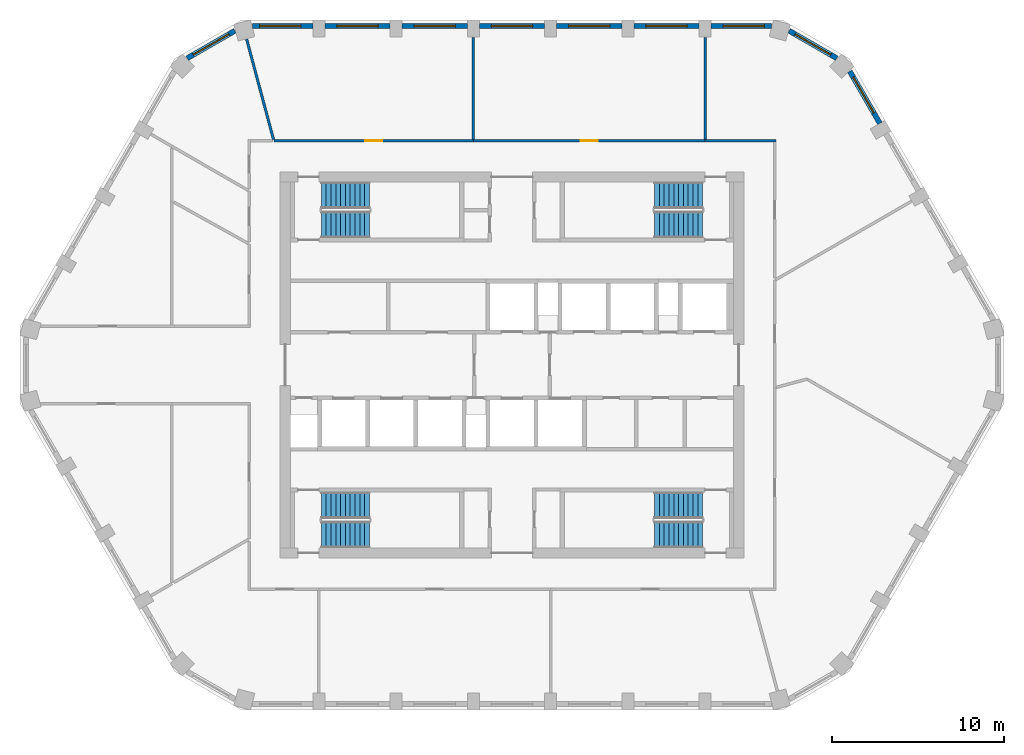
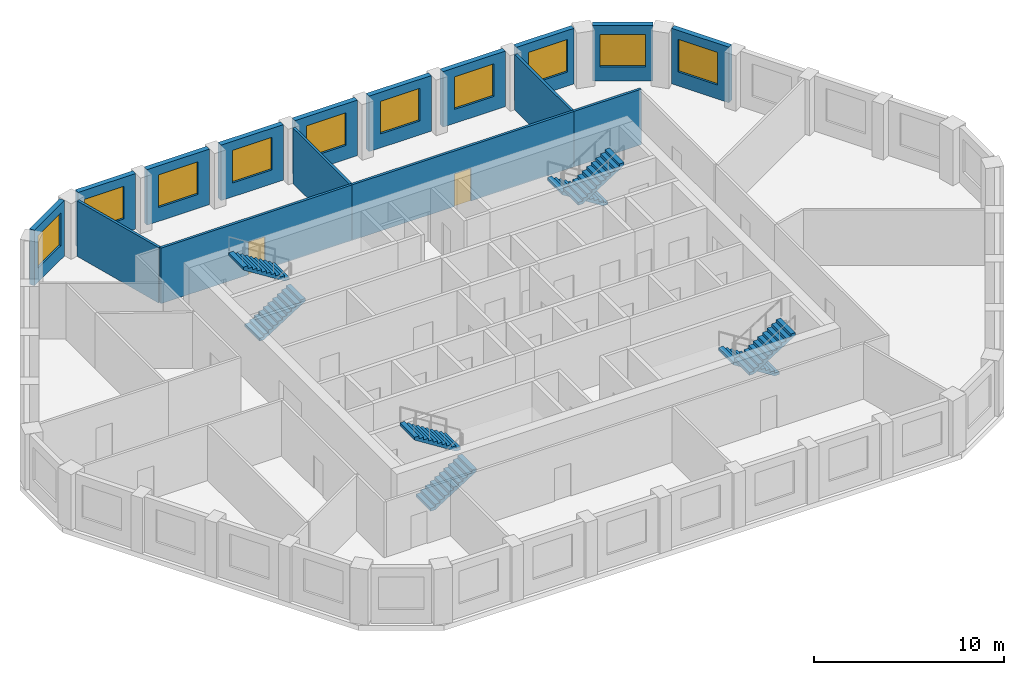
# One storey, part 6 of 7: 16 walls, 10 windows, 8 stair flights, 2 doors, 12 openings, 4 elements without a shape of their own.
"""IFC4 building model written with IfcOpenShell, lengths in metres."""

from ifc_helpers import new_model, si_unit, direction, frame, frame_2d, origin, place, context, subcontext, project, spatial, polyline, rectangle, outline, extrude, material, layer, layer_set, type_object, element, fill, aggregate, save


model = new_model("IFC4")

# Units and contexts
model_context = context("Model", 3, precision=1e-05, world=origin(), true_north=direction((0.0, 1.0)))
body_context = subcontext(model_context, "Body", "Model", "MODEL_VIEW")
ifc_project = project(units=[si_unit("LENGTHUNIT", "METRE"), si_unit("AREAUNIT", "SQUARE_METRE"), si_unit("VOLUMEUNIT", "CUBIC_METRE"), si_unit("PLANEANGLEUNIT", "RADIAN"), si_unit("MASSUNIT", "GRAM", prefix="KILO")], contexts=[model_context])

# Site, building, storey
site_placement = place(None, origin())
site = spatial("IfcSite", under=ifc_project, at=site_placement, CompositionType="ELEMENT")
building_placement = place(site_placement, origin())
building = spatial("IfcBuilding", under=site, at=building_placement, Name="Dhurran Vertical Campus", CompositionType="ELEMENT")
storey_placement = place(building_placement, frame((0.0, 0.0, 266.39990234375)))
storey = spatial("IfcBuildingStorey", under=building, at=storey_placement, Name="L66", CompositionType="ELEMENT", Elevation=266.39990234375)

# Wall, opening, window
ifc_material_1 = material(Name="Precast concrete C50/60", Category="concrete")
ifc_layer_1 = layer(ifc_material_1, 0.300048828125)
ifc_layer_set_1 = layer_set([ifc_layer_1], Name="Precast concrete C50/60")
wall_type_1 = type_object("IfcWallType", Name="Precast spandrel wall 300", PredefinedType="SOLIDWALL", material=ifc_layer_set_1)
wall_1_placement = place(storey_placement, frame((21.418701171875, 14.06982421875, 0.0), z_axis=(0.0, 0.0, 1.0), x_axis=(-0.499960102815, 0.866048437209, 0.0)))
wall_1 = element("IfcWall", 1, at=wall_1_placement, inside=storey, type_object=wall_type_1, Name="EW1 L66.16", PredefinedType="SOLIDWALL", context=body_context, shape_type="SweptSolid", body=[
    extrude(rectangle(XDim=3.497802734375, YDim=0.300048828125, at=frame_2d((1.7490234375, 0.0))), origin(), (0.0, 0.0, 1.0), 3.5751953125),
])
opening_1_placement = place(wall_1_placement, frame((0.699462890625, 0.0, 0.89990234375)))
opening_1 = element("IfcOpeningElement", 2, at=opening_1_placement, cuts=wall_1, Name="Opening WT1", PredefinedType="OPENING", context=body_context, shape_type="SweptSolid", body=[
    extrude(rectangle(XDim=2.39990234375, YDim=2.10009765625, at=frame_2d((1.199951171875, 1.050048828125))), frame((0.0, 0.159912109375, 0.0), z_axis=(0.0, -1.0, 0.0), x_axis=(1.0, 0.0, 0.0)), (0.0, 0.0, 1.0), 0.320068359375),
])
ifc_material_2 = material(Name="Aluminium frame with solar-control glass", Category="aluminium")
window_type = type_object("IfcWindowType", Name="Punched window 2400 x 2100", PartitioningType="SINGLE_PANEL", PredefinedType="WINDOW", material=ifc_material_2)
window_1_placement = place(opening_1_placement, origin())
window_1 = element("IfcWindow", 3, at=window_1_placement, inside=storey, type_object=window_type, Name="WT1 L66.16", OverallHeight=2.10009765625, OverallWidth=2.39990234375, PartitioningType="SINGLE_PANEL", PredefinedType="WINDOW", context=body_context, shape_type="SweptSolid", body=[
    extrude(rectangle(XDim=2.39990234375, YDim=2.10009765625, at=frame_2d((1.199951171875, 1.050048828125))), frame((0.0, 0.030029296875, 0.0), z_axis=(0.0, -1.0, 0.0), x_axis=(1.0, 0.0, 0.0)), (0.0, 0.0, 1.0), 0.06005859375),
])
fill(opening_1, window_1)

wall_2_placement = place(storey_placement, frame((18.90771484375, 17.861328125, 0.0), z_axis=(0.0, 0.0, 1.0), x_axis=(-0.866025316205, 0.500000151692, 0.0)))
wall_2 = element("IfcWall", 4, at=wall_2_placement, inside=storey, type_object=wall_type_1, Name="EW1 L66.17", PredefinedType="SOLIDWALL", context=body_context, shape_type="SweptSolid", body=[
    extrude(rectangle(XDim=3.1962890625, YDim=0.300048828125, at=frame_2d((1.59814453125, 0.0))), origin(), (0.0, 0.0, 1.0), 3.5751953125),
])
opening_2_placement = place(wall_2_placement, frame((0.398193359375, 0.0, 0.89990234375)))
opening_2 = element("IfcOpeningElement", 5, at=opening_2_placement, cuts=wall_2, Name="Opening WT1", PredefinedType="OPENING", context=body_context, shape_type="SweptSolid", body=[
    extrude(rectangle(XDim=2.39990234375, YDim=2.10009765625, at=frame_2d((1.199951171875, 1.050048828125))), frame((0.0, 0.159912109375, 0.0), z_axis=(0.0, -1.0, 0.0), x_axis=(1.0, 0.0, 0.0)), (0.0, 0.0, 1.0), 0.320068359375),
])
window_2_placement = place(opening_2_placement, origin())
window_2 = element("IfcWindow", 6, at=window_2_placement, inside=storey, type_object=window_type, Name="WT1 L66.17", OverallHeight=2.10009765625, OverallWidth=2.39990234375, PartitioningType="SINGLE_PANEL", PredefinedType="WINDOW", context=body_context, shape_type="SweptSolid", body=[
    extrude(rectangle(XDim=2.39990234375, YDim=2.10009765625, at=frame_2d((1.199951171875, 1.050048828125))), frame((0.0, 0.030029296875, 0.0), z_axis=(0.0, -1.0, 0.0), x_axis=(1.0, 0.0, 0.0)), (0.0, 0.0, 1.0), 0.06005859375),
])
fill(opening_2, window_2)

wall_3_placement = place(storey_placement, frame((15.09814453125, 19.738525390625, 0.0), z_axis=(0.0, 0.0, 1.0), x_axis=(-1.0, 0.0, 0.0)))
wall_3 = element("IfcWall", 7, at=wall_3_placement, inside=storey, type_object=wall_type_1, Name="EW1 L66.18", PredefinedType="SOLIDWALL", context=body_context, shape_type="SweptSolid", body=[
    extrude(rectangle(XDim=3.49755859375, YDim=0.300048828125, at=frame_2d((1.748779296875, 0.0))), origin(), (0.0, 0.0, 1.0), 3.5751953125),
])
opening_3_placement = place(wall_3_placement, frame((0.398193359375, 0.0, 0.89990234375)))
opening_3 = element("IfcOpeningElement", 8, at=opening_3_placement, cuts=wall_3, Name="Opening WT1", PredefinedType="OPENING", context=body_context, shape_type="SweptSolid", body=[
    extrude(rectangle(XDim=2.39990234375, YDim=2.10009765625, at=frame_2d((1.199951171875, 1.050048828125))), frame((0.0, 0.159912109375, 0.0), z_axis=(0.0, -1.0, 0.0), x_axis=(1.0, 0.0, 0.0)), (0.0, 0.0, 1.0), 0.320068359375),
])
window_3_placement = place(opening_3_placement, origin())
window_3 = element("IfcWindow", 9, at=window_3_placement, inside=storey, type_object=window_type, Name="WT1 L66.18", OverallHeight=2.10009765625, OverallWidth=2.39990234375, PartitioningType="SINGLE_PANEL", PredefinedType="WINDOW", context=body_context, shape_type="SweptSolid", body=[
    extrude(rectangle(XDim=2.39990234375, YDim=2.10009765625, at=frame_2d((1.199951171875, 1.050048828125))), frame((0.0, 0.030029296875, 0.0), z_axis=(0.0, -1.0, 0.0), x_axis=(1.0, 0.0, 0.0)), (0.0, 0.0, 1.0), 0.06005859375),
])
fill(opening_3, window_3)

wall_4_placement = place(storey_placement, frame((10.8994140625, 19.738525390625, 0.0), z_axis=(0.0, 0.0, 1.0), x_axis=(-1.0, 0.0, 0.0)))
wall_4 = element("IfcWall", 10, at=wall_4_placement, inside=storey, type_object=wall_type_1, Name="EW1 L66.19", PredefinedType="SOLIDWALL", context=body_context, shape_type="SweptSolid", body=[
    extrude(rectangle(XDim=3.798828125, YDim=0.300048828125, at=frame_2d((1.8994140625, 0.0))), origin(), (0.0, 0.0, 1.0), 3.5751953125),
])
opening_4_placement = place(wall_4_placement, frame((0.699462890625, 0.0, 0.89990234375)))
opening_4 = element("IfcOpeningElement", 11, at=opening_4_placement, cuts=wall_4, Name="Opening WT1", PredefinedType="OPENING", context=body_context, shape_type="SweptSolid", body=[
    extrude(rectangle(XDim=2.39990234375, YDim=2.10009765625, at=frame_2d((1.199951171875, 1.050048828125))), frame((0.0, 0.159912109375, 0.0), z_axis=(0.0, -1.0, 0.0), x_axis=(1.0, 0.0, 0.0)), (0.0, 0.0, 1.0), 0.320068359375),
])
window_4_placement = place(opening_4_placement, origin())
window_4 = element("IfcWindow", 12, at=window_4_placement, inside=storey, type_object=window_type, Name="WT1 L66.19", OverallHeight=2.10009765625, OverallWidth=2.39990234375, PartitioningType="SINGLE_PANEL", PredefinedType="WINDOW", context=body_context, shape_type="SweptSolid", body=[
    extrude(rectangle(XDim=2.39990234375, YDim=2.10009765625, at=frame_2d((1.199951171875, 1.050048828125))), frame((0.0, 0.030029296875, 0.0), z_axis=(0.0, -1.0, 0.0), x_axis=(1.0, 0.0, 0.0)), (0.0, 0.0, 1.0), 0.06005859375),
])
fill(opening_4, window_4)

wall_5_placement = place(storey_placement, frame((6.3994140625, 19.738525390625, 0.0), z_axis=(0.0, 0.0, 1.0), x_axis=(-1.0, 0.0, 0.0)))
wall_5 = element("IfcWall", 13, at=wall_5_placement, inside=storey, type_object=wall_type_1, Name="EW1 L66.20", PredefinedType="SOLIDWALL", context=body_context, shape_type="SweptSolid", body=[
    extrude(rectangle(XDim=3.798828125, YDim=0.300048828125, at=frame_2d((1.8994140625, 0.0))), origin(), (0.0, 0.0, 1.0), 3.5751953125),
])
opening_5_placement = place(wall_5_placement, frame((0.699462890625, 0.0, 0.89990234375)))
opening_5 = element("IfcOpeningElement", 14, at=opening_5_placement, cuts=wall_5, Name="Opening WT1", PredefinedType="OPENING", context=body_context, shape_type="SweptSolid", body=[
    extrude(rectangle(XDim=2.39990234375, YDim=2.10009765625, at=frame_2d((1.199951171875, 1.050048828125))), frame((0.0, 0.159912109375, 0.0), z_axis=(0.0, -1.0, 0.0), x_axis=(1.0, 0.0, 0.0)), (0.0, 0.0, 1.0), 0.320068359375),
])
window_5_placement = place(opening_5_placement, origin())
window_5 = element("IfcWindow", 15, at=window_5_placement, inside=storey, type_object=window_type, Name="WT1 L66.20", OverallHeight=2.10009765625, OverallWidth=2.39990234375, PartitioningType="SINGLE_PANEL", PredefinedType="WINDOW", context=body_context, shape_type="SweptSolid", body=[
    extrude(rectangle(XDim=2.39990234375, YDim=2.10009765625, at=frame_2d((1.199951171875, 1.050048828125))), frame((0.0, 0.030029296875, 0.0), z_axis=(0.0, -1.0, 0.0), x_axis=(1.0, 0.0, 0.0)), (0.0, 0.0, 1.0), 0.06005859375),
])
fill(opening_5, window_5)

wall_6_placement = place(storey_placement, frame((1.8994140625, 19.738525390625, 0.0), z_axis=(0.0, 0.0, 1.0), x_axis=(-1.0, 0.0, 0.0)))
wall_6 = element("IfcWall", 16, at=wall_6_placement, inside=storey, type_object=wall_type_1, Name="EW1 L66.21", PredefinedType="SOLIDWALL", context=body_context, shape_type="SweptSolid", body=[
    extrude(rectangle(XDim=3.798828125, YDim=0.300048828125, at=frame_2d((1.8994140625, 0.0))), origin(), (0.0, 0.0, 1.0), 3.5751953125),
])
opening_6_placement = place(wall_6_placement, frame((0.699462890625, 0.0, 0.89990234375)))
opening_6 = element("IfcOpeningElement", 17, at=opening_6_placement, cuts=wall_6, Name="Opening WT1", PredefinedType="OPENING", context=body_context, shape_type="SweptSolid", body=[
    extrude(rectangle(XDim=2.39990234375, YDim=2.10009765625, at=frame_2d((1.199951171875, 1.050048828125))), frame((0.0, 0.159912109375, 0.0), z_axis=(0.0, -1.0, 0.0), x_axis=(1.0, 0.0, 0.0)), (0.0, 0.0, 1.0), 0.320068359375),
])
window_6_placement = place(opening_6_placement, origin())
window_6 = element("IfcWindow", 18, at=window_6_placement, inside=storey, type_object=window_type, Name="WT1 L66.21", OverallHeight=2.10009765625, OverallWidth=2.39990234375, PartitioningType="SINGLE_PANEL", PredefinedType="WINDOW", context=body_context, shape_type="SweptSolid", body=[
    extrude(rectangle(XDim=2.39990234375, YDim=2.10009765625, at=frame_2d((1.199951171875, 1.050048828125))), frame((0.0, 0.030029296875, 0.0), z_axis=(0.0, -1.0, 0.0), x_axis=(1.0, 0.0, 0.0)), (0.0, 0.0, 1.0), 0.06005859375),
])
fill(opening_6, window_6)

wall_7_placement = place(storey_placement, frame((-2.6005859375, 19.738525390625, 0.0), z_axis=(0.0, 0.0, 1.0), x_axis=(-1.0, 0.0, 0.0)))
wall_7 = element("IfcWall", 19, at=wall_7_placement, inside=storey, type_object=wall_type_1, Name="EW1 L66.22", PredefinedType="SOLIDWALL", context=body_context, shape_type="SweptSolid", body=[
    extrude(rectangle(XDim=3.798828125, YDim=0.300048828125, at=frame_2d((1.8994140625, 0.0))), origin(), (0.0, 0.0, 1.0), 3.5751953125),
])
opening_7_placement = place(wall_7_placement, frame((0.699462890625, 0.0, 0.89990234375)))
opening_7 = element("IfcOpeningElement", 20, at=opening_7_placement, cuts=wall_7, Name="Opening WT1", PredefinedType="OPENING", context=body_context, shape_type="SweptSolid", body=[
    extrude(rectangle(XDim=2.39990234375, YDim=2.10009765625, at=frame_2d((1.199951171875, 1.050048828125))), frame((0.0, 0.159912109375, 0.0), z_axis=(0.0, -1.0, 0.0), x_axis=(1.0, 0.0, 0.0)), (0.0, 0.0, 1.0), 0.320068359375),
])
window_7_placement = place(opening_7_placement, origin())
window_7 = element("IfcWindow", 21, at=window_7_placement, inside=storey, type_object=window_type, Name="WT1 L66.22", OverallHeight=2.10009765625, OverallWidth=2.39990234375, PartitioningType="SINGLE_PANEL", PredefinedType="WINDOW", context=body_context, shape_type="SweptSolid", body=[
    extrude(rectangle(XDim=2.39990234375, YDim=2.10009765625, at=frame_2d((1.199951171875, 1.050048828125))), frame((0.0, 0.030029296875, 0.0), z_axis=(0.0, -1.0, 0.0), x_axis=(1.0, 0.0, 0.0)), (0.0, 0.0, 1.0), 0.06005859375),
])
fill(opening_7, window_7)

wall_8_placement = place(storey_placement, frame((-7.1005859375, 19.738525390625, 0.0), z_axis=(0.0, 0.0, 1.0), x_axis=(-1.0, 0.0, 0.0)))
wall_8 = element("IfcWall", 22, at=wall_8_placement, inside=storey, type_object=wall_type_1, Name="EW1 L66.23", PredefinedType="SOLIDWALL", context=body_context, shape_type="SweptSolid", body=[
    extrude(rectangle(XDim=3.798828125, YDim=0.300048828125, at=frame_2d((1.8994140625, 0.0))), origin(), (0.0, 0.0, 1.0), 3.5751953125),
])
opening_8_placement = place(wall_8_placement, frame((0.699462890625, 0.0, 0.89990234375)))
opening_8 = element("IfcOpeningElement", 23, at=opening_8_placement, cuts=wall_8, Name="Opening WT1", PredefinedType="OPENING", context=body_context, shape_type="SweptSolid", body=[
    extrude(rectangle(XDim=2.39990234375, YDim=2.10009765625, at=frame_2d((1.199951171875, 1.050048828125))), frame((0.0, 0.159912109375, 0.0), z_axis=(0.0, -1.0, 0.0), x_axis=(1.0, 0.0, 0.0)), (0.0, 0.0, 1.0), 0.320068359375),
])
window_8_placement = place(opening_8_placement, origin())
window_8 = element("IfcWindow", 24, at=window_8_placement, inside=storey, type_object=window_type, Name="WT1 L66.23", OverallHeight=2.10009765625, OverallWidth=2.39990234375, PartitioningType="SINGLE_PANEL", PredefinedType="WINDOW", context=body_context, shape_type="SweptSolid", body=[
    extrude(rectangle(XDim=2.39990234375, YDim=2.10009765625, at=frame_2d((1.199951171875, 1.050048828125))), frame((0.0, 0.030029296875, 0.0), z_axis=(0.0, -1.0, 0.0), x_axis=(1.0, 0.0, 0.0)), (0.0, 0.0, 1.0), 0.06005859375),
])
fill(opening_8, window_8)

wall_9_placement = place(storey_placement, frame((-11.6005859375, 19.738525390625, 0.0), z_axis=(0.0, 0.0, 1.0), x_axis=(-1.0, 0.0, 0.0)))
wall_9 = element("IfcWall", 25, at=wall_9_placement, inside=storey, type_object=wall_type_1, Name="EW1 L66.24", PredefinedType="SOLIDWALL", context=body_context, shape_type="SweptSolid", body=[
    extrude(rectangle(XDim=3.49755859375, YDim=0.300048828125, at=frame_2d((1.748779296875, 0.0))), origin(), (0.0, 0.0, 1.0), 3.5751953125),
])
opening_9_placement = place(wall_9_placement, frame((0.699462890625, 0.0, 0.89990234375)))
opening_9 = element("IfcOpeningElement", 26, at=opening_9_placement, cuts=wall_9, Name="Opening WT1", PredefinedType="OPENING", context=body_context, shape_type="SweptSolid", body=[
    extrude(rectangle(XDim=2.39990234375, YDim=2.10009765625, at=frame_2d((1.199951171875, 1.050048828125))), frame((0.0, 0.159912109375, 0.0), z_axis=(0.0, -1.0, 0.0), x_axis=(1.0, 0.0, 0.0)), (0.0, 0.0, 1.0), 0.320068359375),
])
window_9_placement = place(opening_9_placement, origin())
window_9 = element("IfcWindow", 27, at=window_9_placement, inside=storey, type_object=window_type, Name="WT1 L66.24", OverallHeight=2.10009765625, OverallWidth=2.39990234375, PartitioningType="SINGLE_PANEL", PredefinedType="WINDOW", context=body_context, shape_type="SweptSolid", body=[
    extrude(rectangle(XDim=2.39990234375, YDim=2.10009765625, at=frame_2d((1.199951171875, 1.050048828125))), frame((0.0, 0.030029296875, 0.0), z_axis=(0.0, -1.0, 0.0), x_axis=(1.0, 0.0, 0.0)), (0.0, 0.0, 1.0), 0.06005859375),
])
fill(opening_9, window_9)

wall_10_placement = place(storey_placement, frame((-16.1396484375, 19.45947265625, 0.0), z_axis=(0.0, 0.0, 1.0), x_axis=(-0.866025316205, -0.500000151692, 0.0)))
wall_10 = element("IfcWall", 28, at=wall_10_placement, inside=storey, type_object=wall_type_1, Name="EW1 L66.25", PredefinedType="SOLIDWALL", context=body_context, shape_type="SweptSolid", body=[
    extrude(rectangle(XDim=3.1962890625, YDim=0.300048828125, at=frame_2d((1.59814453125, 0.0))), origin(), (0.0, 0.0, 1.0), 3.5751953125),
])
opening_10_placement = place(wall_10_placement, frame((0.398193359375, 0.0, 0.89990234375)))
opening_10 = element("IfcOpeningElement", 29, at=opening_10_placement, cuts=wall_10, Name="Opening WT1", PredefinedType="OPENING", context=body_context, shape_type="SweptSolid", body=[
    extrude(rectangle(XDim=2.39990234375, YDim=2.10009765625, at=frame_2d((1.199951171875, 1.050048828125))), frame((0.0, 0.159912109375, 0.0), z_axis=(0.0, -1.0, 0.0), x_axis=(1.0, 0.0, 0.0)), (0.0, 0.0, 1.0), 0.320068359375),
])
window_10_placement = place(opening_10_placement, origin())
window_10 = element("IfcWindow", 30, at=window_10_placement, inside=storey, type_object=window_type, Name="WT1 L66.25", OverallHeight=2.10009765625, OverallWidth=2.39990234375, PartitioningType="SINGLE_PANEL", PredefinedType="WINDOW", context=body_context, shape_type="SweptSolid", body=[
    extrude(rectangle(XDim=2.39990234375, YDim=2.10009765625, at=frame_2d((1.199951171875, 1.050048828125))), frame((0.0, 0.030029296875, 0.0), z_axis=(0.0, -1.0, 0.0), x_axis=(1.0, 0.0, 0.0)), (0.0, 0.0, 1.0), 0.06005859375),
])
fill(opening_10, window_10)

# Wall, opening, door
ifc_material_3 = material(Name="Gypsum board corridor wall on steel studs", Category="steel")
ifc_layer_2 = layer(ifc_material_3, 0.14990234375)
ifc_layer_set_2 = layer_set([ifc_layer_2], Name="Gypsum board corridor wall on steel studs")
wall_type_2 = type_object("IfcWallType", Name="fl-CW-150 corridor wall", PredefinedType="PARTITIONING", material=ifc_layer_set_2)
wall_11_placement = place(storey_placement, frame((-2.25, 13.050048828125, 0.0), z_axis=(0.0, 0.0, 1.0), x_axis=(-1.0, 0.0, 0.0)))
wall_11 = element("IfcWall", 31, at=wall_11_placement, inside=storey, type_object=wall_type_2, Name="Partition 66-21", PredefinedType="PARTITIONING", context=body_context, shape_type="SweptSolid", body=[
    extrude(rectangle(XDim=11.614013671875, YDim=0.14990234375, at=frame_2d((5.80712890625, 0.0))), origin(), (0.0, 0.0, 1.0), 3.5751953125),
])
opening_11_placement = place(wall_11_placement, frame((5.306884765625, 0.0, 0.0)))
opening_11 = element("IfcOpeningElement", 32, at=opening_11_placement, cuts=wall_11, Name="Opening T19.08", PredefinedType="OPENING", context=body_context, shape_type="SweptSolid", body=[
    extrude(rectangle(XDim=1.0, YDim=2.10009765625, at=frame_2d((0.5, 1.050048828125))), frame((0.0, 0.0849609375, 0.0), z_axis=(0.0, -1.0, 0.0), x_axis=(1.0, 0.0, 0.0)), (0.0, 0.0, 1.0), 0.169921875),
])
ifc_material_4 = material(Name="Solid-core timber door set, fire-rated", Category="wood")
door_type = type_object("IfcDoorType", Name="fl-D-1000x2100", OperationType="SINGLE_SWING_LEFT", PredefinedType="DOOR", material=ifc_material_4)
door_1_placement = place(opening_11_placement, origin())
door_1 = element("IfcDoor", 33, at=door_1_placement, inside=storey, type_object=door_type, Name="Door 66.08", OperationType="SINGLE_SWING_LEFT", OverallHeight=2.10009765625, OverallWidth=1.0, PredefinedType="DOOR", context=body_context, shape_type="SweptSolid", body=[
    extrude(rectangle(XDim=1.0, YDim=2.10009765625, at=frame_2d((0.5, 1.050048828125))), frame((0.0, 0.02490234375, 0.0), z_axis=(0.0, -1.0, 0.0), x_axis=(1.0, 0.0, 0.0)), (0.0, 0.0, 1.0), 0.050048828125),
])
fill(opening_11, door_1)

wall_12_placement = place(storey_placement, frame((11.25, 13.050048828125, 0.0), z_axis=(0.0, 0.0, 1.0), x_axis=(-1.0, 0.0, 0.0)))
wall_12 = element("IfcWall", 34, at=wall_12_placement, inside=storey, type_object=wall_type_2, Name="Partition 66-25", PredefinedType="PARTITIONING", context=body_context, shape_type="SweptSolid", body=[
    extrude(rectangle(XDim=13.5, YDim=0.14990234375, at=frame_2d((6.75, 0.0))), origin(), (0.0, 0.0, 1.0), 3.5751953125),
])
opening_12_placement = place(wall_12_placement, frame((6.25, 0.0, 0.0)))
opening_12 = element("IfcOpeningElement", 35, at=opening_12_placement, cuts=wall_12, Name="Opening T19.10", PredefinedType="OPENING", context=body_context, shape_type="SweptSolid", body=[
    extrude(rectangle(XDim=1.0, YDim=2.10009765625, at=frame_2d((0.5, 1.050048828125))), frame((0.0, 0.0849609375, 0.0), z_axis=(0.0, -1.0, 0.0), x_axis=(1.0, 0.0, 0.0)), (0.0, 0.0, 1.0), 0.169921875),
])
door_2_placement = place(opening_12_placement, origin())
door_2 = element("IfcDoor", 36, at=door_2_placement, inside=storey, type_object=door_type, Name="Door 66.10", OperationType="SINGLE_SWING_LEFT", OverallHeight=2.10009765625, OverallWidth=1.0, PredefinedType="DOOR", context=body_context, shape_type="SweptSolid", body=[
    extrude(rectangle(XDim=1.0, YDim=2.10009765625, at=frame_2d((0.5, 1.050048828125))), frame((0.0, 0.02490234375, 0.0), z_axis=(0.0, -1.0, 0.0), x_axis=(1.0, 0.0, 0.0)), (0.0, 0.0, 1.0), 0.050048828125),
])
fill(opening_12, door_2)

# Walls
wall_13_placement = place(storey_placement, frame((15.375, 13.050048828125, 0.0), z_axis=(0.0, 0.0, 1.0), x_axis=(-1.0, 0.0, 0.0)))
element("IfcWall", 37, at=wall_13_placement, inside=storey, type_object=wall_type_2, Name="Partition 66-29", PredefinedType="PARTITIONING", context=body_context, shape_type="SweptSolid", body=[
    extrude(rectangle(XDim=4.125, YDim=0.14990234375, at=frame_2d((2.0625, 0.0))), origin(), (0.0, 0.0, 1.0), 3.5751953125),
])
ifc_material_5 = material(Name="Gypsum board partition on steel studs", Category="steel")
ifc_layer_3 = layer(ifc_material_5, 0.14990234375)
ifc_layer_set_3 = layer_set([ifc_layer_3], Name="Gypsum board partition on steel studs")
wall_type_3 = type_object("IfcWallType", Name="fl-PW-150 fixed partition", PredefinedType="PARTITIONING", material=ifc_layer_set_3)
wall_14_placement = place(storey_placement, frame((-15.45166015625, 18.9736328125, 0.0), z_axis=(0.0, 0.0, 1.0), x_axis=(0.258896568031, -0.965905050749, 0.0)))
element("IfcWall", 38, at=wall_14_placement, inside=storey, type_object=wall_type_3, Name="Partition 66-13", PredefinedType="PARTITIONING", context=body_context, shape_type="SweptSolid", body=[
    extrude(rectangle(XDim=6.057861328125, YDim=0.14990234375, at=frame_2d((3.02880859375, 0.0))), origin(), (0.0, 0.0, 1.0), 3.5751953125),
])
for number, where, z_axis, x_axis, name in (
    (39, (-2.25, 19.068603515625, 0.0), (0.0, 0.0, 1.0), (0.0, -1.0, 0.0), "Partition 66-24"),
    (40, (11.25, 19.068603515625, 0.0), (0.0, 0.0, 1.0), (0.0, -1.0, 0.0), "Partition 66-28"),
):
    element("IfcWall", number, at=place(storey_placement, frame(where, z_axis=z_axis, x_axis=x_axis)), inside=storey, type_object=wall_type_3, Name=name, PredefinedType="PARTITIONING", context=body_context, shape_type="SweptSolid", body=[
        extrude(rectangle(XDim=5.943603515625, YDim=0.14990234375, at=frame_2d((2.9716796875, 0.0))), origin(), (0.0, 0.0, 1.0), 3.5751953125),
    ])

# Stair, stair flights
ifc_material_6 = material(Name="Concrete C40/50", Category="concrete")
stair_type = type_object("IfcStairType", Name="co-ST-CORE", PredefinedType="HALF_TURN_STAIR", material=ifc_material_6)
stair_1_placement = place(storey_placement, origin())
stair_1 = element("IfcStair", 41, at=stair_1_placement, inside=storey, type_object=stair_type, Name="L66 Protected exit stair ST1", PredefinedType="HALF_TURN_STAIR")
ifc_material_7 = material(Name="Concrete C40/50", Category="concrete")
stair_flight_type = type_object("IfcStairFlightType", Name="co-SFL-RC", PredefinedType="STRAIGHT", material=ifc_material_7)
stair_flight_1_placement = place(storey_placement, frame((-11.10009765625, 8.175048828125, 0.0), z_axis=(0.0, 0.0, 1.0), x_axis=(1.0, 0.0, 0.0)))
stair_flight_1 = element("IfcStairFlight", 42, at=stair_flight_1_placement, type_object=stair_flight_type, Name="ST1 flight 1", NumberOfRisers=11, NumberOfTreads=10, PredefinedType="STRAIGHT", RiserHeight=0.177272727, TreadLength=0.28, context=body_context, shape_type="SweptSolid", body=[
    extrude(outline(polyline([(0.0, 0.0), (0.0, 0.17724609375), (0.280029296875, 0.17724609375), (0.280029296875, 0.3544921875), (0.56005859375, 0.3544921875), (0.56005859375, 0.53173828125), (0.840087890625, 0.53173828125), (0.840087890625, 0.708984375), (1.1201171875, 0.708984375), (1.1201171875, 0.886474609375), (1.39990234375, 0.886474609375), (1.39990234375, 1.063720703125), (1.679931640625, 1.063720703125), (1.679931640625, 1.240966796875), (1.9599609375, 1.240966796875), (1.9599609375, 1.418212890625), (2.239990234375, 1.418212890625), (2.239990234375, 1.595458984375), (2.52001953125, 1.595458984375), (2.52001953125, 1.772705078125), (2.800048828125, 1.772705078125), (2.800048828125, 1.949951171875), (2.800048828125, 1.59521484375), (0.2802734375, 0.0), (0.0, 0.0)])), frame((0.0, 0.77490234375, 0.0), z_axis=(0.0, -1.0, 0.0), x_axis=(1.0, 0.0, 0.0)), (0.0, 0.0, 1.0), 1.550048828125),
])
stair_flight_2_placement = place(storey_placement, frame((-8.300048828125, 9.875, 1.9501953125), z_axis=(0.0, 0.0, 1.0), x_axis=(-1.0, 0.0, 0.0)))
stair_flight_2 = element("IfcStairFlight", 43, at=stair_flight_2_placement, type_object=stair_flight_type, Name="ST1 flight 2", NumberOfRisers=11, NumberOfTreads=10, PredefinedType="STRAIGHT", RiserHeight=0.177272727, TreadLength=0.28, context=body_context, shape_type="SweptSolid", body=[
    extrude(outline(polyline([(0.0, 0.0), (0.0, 0.17724609375), (0.280029296875, 0.17724609375), (0.280029296875, 0.3544921875), (0.56005859375, 0.3544921875), (0.56005859375, 0.53173828125), (0.840087890625, 0.53173828125), (0.840087890625, 0.708984375), (1.1201171875, 0.708984375), (1.1201171875, 0.886474609375), (1.39990234375, 0.886474609375), (1.39990234375, 1.063720703125), (1.679931640625, 1.063720703125), (1.679931640625, 1.240966796875), (1.9599609375, 1.240966796875), (1.9599609375, 1.418212890625), (2.239990234375, 1.418212890625), (2.239990234375, 1.595458984375), (2.52001953125, 1.595458984375), (2.52001953125, 1.772705078125), (2.800048828125, 1.772705078125), (2.800048828125, 1.949951171875), (2.800048828125, 1.59521484375), (0.2802734375, 0.0), (0.0, 0.0)])), frame((0.0, 0.77490234375, 0.0), z_axis=(0.0, -1.0, 0.0), x_axis=(1.0, 0.0, 0.0)), (0.0, 0.0, 1.0), 1.550048828125),
])
aggregate(stair_1, [stair_flight_1, stair_flight_2])

stair_2_placement = place(storey_placement, origin())
stair_2 = element("IfcStair", 44, at=stair_2_placement, inside=storey, type_object=stair_type, Name="L66 Protected exit stair ST2", PredefinedType="HALF_TURN_STAIR")
stair_flight_3_placement = place(storey_placement, frame((11.10009765625, 9.875, 0.0), z_axis=(0.0, 0.0, 1.0), x_axis=(-1.0, 0.0, 0.0)))
stair_flight_3 = element("IfcStairFlight", 45, at=stair_flight_3_placement, type_object=stair_flight_type, Name="ST2 flight 1", NumberOfRisers=11, NumberOfTreads=10, PredefinedType="STRAIGHT", RiserHeight=0.177272727, TreadLength=0.28, context=body_context, shape_type="SweptSolid", body=[
    extrude(outline(polyline([(0.0, 0.0), (0.0, 0.17724609375), (0.280029296875, 0.17724609375), (0.280029296875, 0.3544921875), (0.56005859375, 0.3544921875), (0.56005859375, 0.53173828125), (0.840087890625, 0.53173828125), (0.840087890625, 0.708984375), (1.1201171875, 0.708984375), (1.1201171875, 0.886474609375), (1.39990234375, 0.886474609375), (1.39990234375, 1.063720703125), (1.679931640625, 1.063720703125), (1.679931640625, 1.240966796875), (1.9599609375, 1.240966796875), (1.9599609375, 1.418212890625), (2.239990234375, 1.418212890625), (2.239990234375, 1.595458984375), (2.52001953125, 1.595458984375), (2.52001953125, 1.772705078125), (2.800048828125, 1.772705078125), (2.800048828125, 1.949951171875), (2.800048828125, 1.59521484375), (0.2802734375, 0.0), (0.0, 0.0)])), frame((0.0, 0.77490234375, 0.0), z_axis=(0.0, -1.0, 0.0), x_axis=(1.0, 0.0, 0.0)), (0.0, 0.0, 1.0), 1.550048828125),
])
stair_flight_4_placement = place(storey_placement, frame((8.300048828125, 8.175048828125, 1.9501953125), z_axis=(0.0, 0.0, 1.0), x_axis=(1.0, 0.0, 0.0)))
stair_flight_4 = element("IfcStairFlight", 46, at=stair_flight_4_placement, type_object=stair_flight_type, Name="ST2 flight 2", NumberOfRisers=11, NumberOfTreads=10, PredefinedType="STRAIGHT", RiserHeight=0.177272727, TreadLength=0.28, context=body_context, shape_type="SweptSolid", body=[
    extrude(outline(polyline([(0.0, 0.0), (0.0, 0.17724609375), (0.280029296875, 0.17724609375), (0.280029296875, 0.3544921875), (0.56005859375, 0.3544921875), (0.56005859375, 0.53173828125), (0.840087890625, 0.53173828125), (0.840087890625, 0.708984375), (1.1201171875, 0.708984375), (1.1201171875, 0.886474609375), (1.39990234375, 0.886474609375), (1.39990234375, 1.063720703125), (1.679931640625, 1.063720703125), (1.679931640625, 1.240966796875), (1.9599609375, 1.240966796875), (1.9599609375, 1.418212890625), (2.239990234375, 1.418212890625), (2.239990234375, 1.595458984375), (2.52001953125, 1.595458984375), (2.52001953125, 1.772705078125), (2.800048828125, 1.772705078125), (2.800048828125, 1.949951171875), (2.800048828125, 1.59521484375), (0.2802734375, 0.0), (0.0, 0.0)])), frame((0.0, 0.77490234375, 0.0), z_axis=(0.0, -1.0, 0.0), x_axis=(1.0, 0.0, 0.0)), (0.0, 0.0, 1.0), 1.550048828125),
])
aggregate(stair_2, [stair_flight_3, stair_flight_4])

stair_3_placement = place(storey_placement, origin())
stair_3 = element("IfcStair", 47, at=stair_3_placement, inside=storey, type_object=stair_type, Name="L66 Protected exit stair ST3", PredefinedType="HALF_TURN_STAIR")
stair_flight_5_placement = place(storey_placement, frame((-11.10009765625, -9.875, 0.0), z_axis=(0.0, 0.0, 1.0), x_axis=(1.0, 0.0, 0.0)))
stair_flight_5 = element("IfcStairFlight", 48, at=stair_flight_5_placement, type_object=stair_flight_type, Name="ST3 flight 1", NumberOfRisers=11, NumberOfTreads=10, PredefinedType="STRAIGHT", RiserHeight=0.177272727, TreadLength=0.28, context=body_context, shape_type="SweptSolid", body=[
    extrude(outline(polyline([(0.0, 0.0), (0.0, 0.17724609375), (0.280029296875, 0.17724609375), (0.280029296875, 0.3544921875), (0.56005859375, 0.3544921875), (0.56005859375, 0.53173828125), (0.840087890625, 0.53173828125), (0.840087890625, 0.708984375), (1.1201171875, 0.708984375), (1.1201171875, 0.886474609375), (1.39990234375, 0.886474609375), (1.39990234375, 1.063720703125), (1.679931640625, 1.063720703125), (1.679931640625, 1.240966796875), (1.9599609375, 1.240966796875), (1.9599609375, 1.418212890625), (2.239990234375, 1.418212890625), (2.239990234375, 1.595458984375), (2.52001953125, 1.595458984375), (2.52001953125, 1.772705078125), (2.800048828125, 1.772705078125), (2.800048828125, 1.949951171875), (2.800048828125, 1.59521484375), (0.2802734375, 0.0), (0.0, 0.0)])), frame((0.0, 0.77490234375, 0.0), z_axis=(0.0, -1.0, 0.0), x_axis=(1.0, 0.0, 0.0)), (0.0, 0.0, 1.0), 1.550048828125),
])
stair_flight_6_placement = place(storey_placement, frame((-8.300048828125, -8.175048828125, 1.9501953125), z_axis=(0.0, 0.0, 1.0), x_axis=(-1.0, 0.0, 0.0)))
stair_flight_6 = element("IfcStairFlight", 49, at=stair_flight_6_placement, type_object=stair_flight_type, Name="ST3 flight 2", NumberOfRisers=11, NumberOfTreads=10, PredefinedType="STRAIGHT", RiserHeight=0.177272727, TreadLength=0.28, context=body_context, shape_type="SweptSolid", body=[
    extrude(outline(polyline([(0.0, 0.0), (0.0, 0.17724609375), (0.280029296875, 0.17724609375), (0.280029296875, 0.3544921875), (0.56005859375, 0.3544921875), (0.56005859375, 0.53173828125), (0.840087890625, 0.53173828125), (0.840087890625, 0.708984375), (1.1201171875, 0.708984375), (1.1201171875, 0.886474609375), (1.39990234375, 0.886474609375), (1.39990234375, 1.063720703125), (1.679931640625, 1.063720703125), (1.679931640625, 1.240966796875), (1.9599609375, 1.240966796875), (1.9599609375, 1.418212890625), (2.239990234375, 1.418212890625), (2.239990234375, 1.595458984375), (2.52001953125, 1.595458984375), (2.52001953125, 1.772705078125), (2.800048828125, 1.772705078125), (2.800048828125, 1.949951171875), (2.800048828125, 1.59521484375), (0.2802734375, 0.0), (0.0, 0.0)])), frame((0.0, 0.77490234375, 0.0), z_axis=(0.0, -1.0, 0.0), x_axis=(1.0, 0.0, 0.0)), (0.0, 0.0, 1.0), 1.550048828125),
])
aggregate(stair_3, [stair_flight_5, stair_flight_6])

stair_4_placement = place(storey_placement, origin())
stair_4 = element("IfcStair", 50, at=stair_4_placement, inside=storey, type_object=stair_type, Name="L66 Protected exit stair ST4", PredefinedType="HALF_TURN_STAIR")
stair_flight_7_placement = place(storey_placement, frame((11.10009765625, -8.175048828125, 0.0), z_axis=(0.0, 0.0, 1.0), x_axis=(-1.0, 0.0, 0.0)))
stair_flight_7 = element("IfcStairFlight", 51, at=stair_flight_7_placement, type_object=stair_flight_type, Name="ST4 flight 1", NumberOfRisers=11, NumberOfTreads=10, PredefinedType="STRAIGHT", RiserHeight=0.177272727, TreadLength=0.28, context=body_context, shape_type="SweptSolid", body=[
    extrude(outline(polyline([(0.0, 0.0), (0.0, 0.17724609375), (0.280029296875, 0.17724609375), (0.280029296875, 0.3544921875), (0.56005859375, 0.3544921875), (0.56005859375, 0.53173828125), (0.840087890625, 0.53173828125), (0.840087890625, 0.708984375), (1.1201171875, 0.708984375), (1.1201171875, 0.886474609375), (1.39990234375, 0.886474609375), (1.39990234375, 1.063720703125), (1.679931640625, 1.063720703125), (1.679931640625, 1.240966796875), (1.9599609375, 1.240966796875), (1.9599609375, 1.418212890625), (2.239990234375, 1.418212890625), (2.239990234375, 1.595458984375), (2.52001953125, 1.595458984375), (2.52001953125, 1.772705078125), (2.800048828125, 1.772705078125), (2.800048828125, 1.949951171875), (2.800048828125, 1.59521484375), (0.2802734375, 0.0), (0.0, 0.0)])), frame((0.0, 0.77490234375, 0.0), z_axis=(0.0, -1.0, 0.0), x_axis=(1.0, 0.0, 0.0)), (0.0, 0.0, 1.0), 1.550048828125),
])
stair_flight_8_placement = place(storey_placement, frame((8.300048828125, -9.875, 1.9501953125), z_axis=(0.0, 0.0, 1.0), x_axis=(1.0, 0.0, 0.0)))
stair_flight_8 = element("IfcStairFlight", 52, at=stair_flight_8_placement, type_object=stair_flight_type, Name="ST4 flight 2", NumberOfRisers=11, NumberOfTreads=10, PredefinedType="STRAIGHT", RiserHeight=0.177272727, TreadLength=0.28, context=body_context, shape_type="SweptSolid", body=[
    extrude(outline(polyline([(0.0, 0.0), (0.0, 0.17724609375), (0.280029296875, 0.17724609375), (0.280029296875, 0.3544921875), (0.56005859375, 0.3544921875), (0.56005859375, 0.53173828125), (0.840087890625, 0.53173828125), (0.840087890625, 0.708984375), (1.1201171875, 0.708984375), (1.1201171875, 0.886474609375), (1.39990234375, 0.886474609375), (1.39990234375, 1.063720703125), (1.679931640625, 1.063720703125), (1.679931640625, 1.240966796875), (1.9599609375, 1.240966796875), (1.9599609375, 1.418212890625), (2.239990234375, 1.418212890625), (2.239990234375, 1.595458984375), (2.52001953125, 1.595458984375), (2.52001953125, 1.772705078125), (2.800048828125, 1.772705078125), (2.800048828125, 1.949951171875), (2.800048828125, 1.59521484375), (0.2802734375, 0.0), (0.0, 0.0)])), frame((0.0, 0.77490234375, 0.0), z_axis=(0.0, -1.0, 0.0), x_axis=(1.0, 0.0, 0.0)), (0.0, 0.0, 1.0), 1.550048828125),
])
aggregate(stair_4, [stair_flight_7, stair_flight_8])

save(model, "model.ifc")
